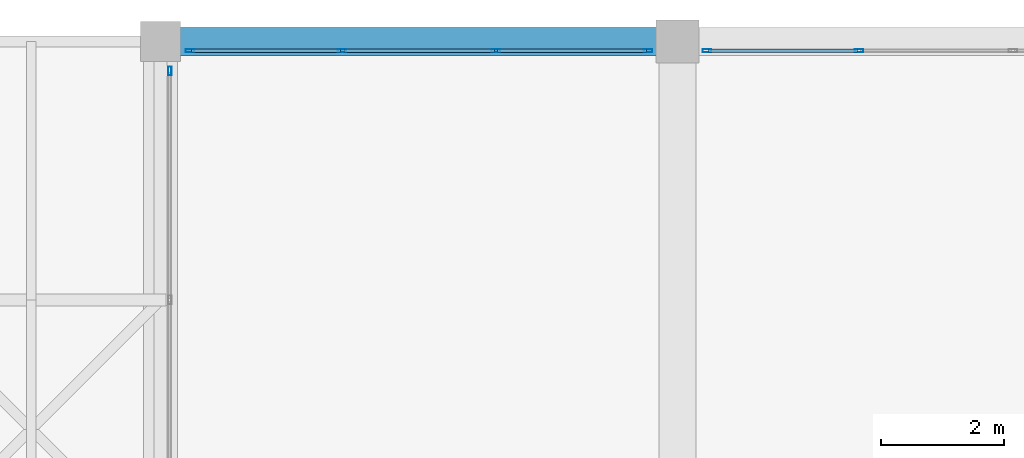
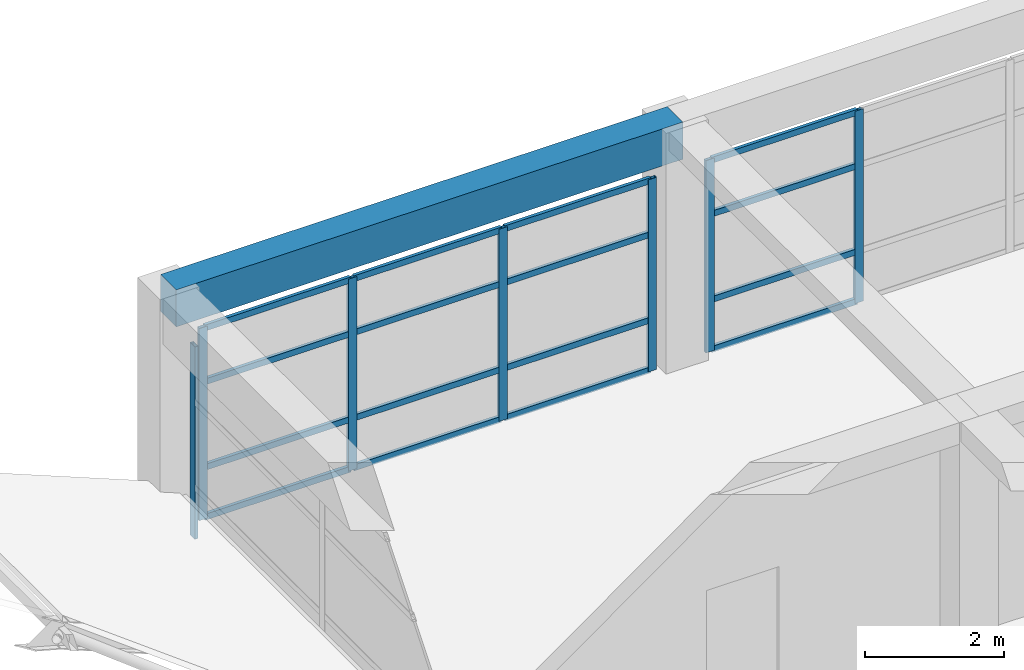
# One storey, part 47 of 85: 23 members, 1 beam, 3 elements without a shape of their own.
"""IFC4 building model written with IfcOpenShell, lengths in metres."""

import ifcopenshell
import ifcopenshell.guid

model = None  # the IFC model being written
_history = None  # IfcOwnerHistory: only IFC2X3 demands one
_inside = {}  # id of a spatial element -> (the spatial element, [elements in it])
_under = {}  # id of a project, library or spatial element -> (it, [spatial elements below it])
_declared = {}  # id of a project -> (the project, [libraries it declares])
_typed = {}  # id of a type object -> (the type object, [elements of that type])
_made_of = {}  # id of a material, layer set ... -> (it, [elements and type objects made of it])


def new_model(schema):
    """Start an empty IFC model of exactly this schema.

    Asked for "IFC4X3", IfcOpenShell would pick the latest addendum, in which some entities
    have other attributes; the version numbers below select the first issue.
    IFC2X3 requires an IfcOwnerHistory on every rooted entity: one is made here for all.
    """
    global model, _history
    if schema == "IFC4X3":
        model = ifcopenshell.file(schema_version=(4, 3, 0, 0))
    else:
        model = ifcopenshell.file(schema=schema)
    _inside.clear()
    _under.clear()
    _declared.clear()
    _typed.clear()
    _made_of.clear()
    _history = None
    if model.schema == "IFC2X3":
        org = make("IfcOrganization", Name="unknown")
        user = make(
            "IfcPersonAndOrganization",
            ThePerson=make("IfcPerson", FamilyName="unknown"),
            TheOrganization=org,
        )
        app = make(
            "IfcApplication",
            ApplicationDeveloper=org,
            Version="unknown",
            ApplicationFullName="unknown",
            ApplicationIdentifier="unknown",
        )
        _history = make(
            "IfcOwnerHistory",
            OwningUser=user,
            OwningApplication=app,
            ChangeAction="ADDED",
            CreationDate=0,
        )
    return model


def make(cls, **values):
    """One entity of the class cls with the attributes given. An attribute that is None is left unset."""
    return model.create_entity(
        cls, **{name: value for name, value in values.items() if value is not None}
    )


def rooted(cls, **values):
    """An entity with a GlobalId (a new one), such as an element, a storey or a relation."""
    return make(cls, GlobalId=ifcopenshell.guid.new(), OwnerHistory=_history, **values)


def si_unit(unit_type, name, prefix=None):
    """IfcSIUnit, for example si_unit("LENGTHUNIT", "METRE", prefix="MILLI")."""
    return make("IfcSIUnit", UnitType=unit_type, Prefix=prefix, Name=name)


def assignment(units):
    """IfcUnitAssignment: the units of a project."""
    return None if units is None else make("IfcUnitAssignment", Units=units)


def point(xyz):
    """IfcCartesianPoint."""
    return None if xyz is None else make("IfcCartesianPoint", Coordinates=xyz)


def direction(xyz):
    """IfcDirection."""
    return None if xyz is None else make("IfcDirection", DirectionRatios=xyz)


def frame(location, z_axis=None, x_axis=None):
    """IfcAxis2Placement3D, a coordinate frame: its origin and axes. An axis left out is left unset."""
    return make(
        "IfcAxis2Placement3D",
        Location=point(location),
        Axis=direction(z_axis),
        RefDirection=direction(x_axis),
    )


def frame_2d(location, x_axis=None):
    """IfcAxis2Placement2D, a coordinate frame in the plane: its origin and x axis."""
    return make(
        "IfcAxis2Placement2D", Location=point(location), RefDirection=direction(x_axis)
    )


def origin():
    """The frame at (0, 0, 0) with its axes left unset."""
    return frame((0.0, 0.0, 0.0))


def origin_2d():
    """The frame at (0, 0) in the plane with its x axis left unset."""
    return frame_2d((0.0, 0.0))


def place(relative_to, where):
    """IfcLocalPlacement: puts the frame where relative to a parent placement (None: the world)."""
    return make(
        "IfcLocalPlacement", PlacementRelTo=relative_to, RelativePlacement=where
    )


def context(
    kind, dimensions, precision=None, world=None, true_north=None, identifier=None
):
    """IfcGeometricRepresentationContext, for example the 3D "Model" context."""
    return make(
        "IfcGeometricRepresentationContext",
        ContextIdentifier=identifier,
        ContextType=kind,
        CoordinateSpaceDimension=dimensions,
        Precision=precision,
        WorldCoordinateSystem=world,
        TrueNorth=true_north,
    )


def subcontext(parent, identifier, kind, view, scale=None):
    """IfcGeometricRepresentationSubContext, for example "Body" below "Model"."""
    return make(
        "IfcGeometricRepresentationSubContext",
        ContextIdentifier=identifier,
        ContextType=kind,
        ParentContext=parent,
        TargetScale=scale,
        TargetView=view,
    )


def project(units=None, contexts=None):
    """IfcProject with its units and contexts."""
    return rooted(
        "IfcProject",
        Name="project",
        RepresentationContexts=contexts,
        UnitsInContext=assignment(units),
    )


def spatial(cls, under=None, at=None, **own):
    """A site, building, storey or space (cls), placed at a placement, below another one or the project."""
    s = rooted(cls, ObjectPlacement=at, **own)
    if under is not None:
        _under.setdefault(under.id(), (under, []))[1].append(s)
    return s


def profile(cls, at=None, kind="AREA", **sizes):
    """A parametric profile (cls). Its sizes go by their IFC names, for example OverallWidth=200.0."""
    return make(cls, ProfileType=kind, Position=at, **sizes)


def rectangle(**sizes):
    """IfcRectangleProfileDef."""
    return profile("IfcRectangleProfileDef", **sizes)


def hollow_rectangle(**sizes):
    """IfcRectangleHollowProfileDef."""
    return profile("IfcRectangleHollowProfileDef", **sizes)


def extrude(swept, where, along, depth):
    """IfcExtrudedAreaSolid: the profile swept, set in the frame where, extruded along a direction by depth."""
    return make(
        "IfcExtrudedAreaSolid",
        SweptArea=swept,
        Position=where,
        ExtrudedDirection=direction(along),
        Depth=depth,
    )


def shape(context_of_items, identifier, shape_type, items):
    """IfcShapeRepresentation: the items that make up one representation, for example the "Body"."""
    return make(
        "IfcShapeRepresentation",
        ContextOfItems=context_of_items,
        RepresentationIdentifier=identifier,
        RepresentationType=shape_type,
        Items=items,
    )


def material(Name=None, Category=None):
    """IfcMaterial."""
    return make("IfcMaterial", Name=Name, Category=Category)


def material_profile(
    of_material, cross_section, Name=None, Category=None, Priority=None
):
    """IfcMaterialProfile: a cross section and its material."""
    return make(
        "IfcMaterialProfile",
        Name=Name,
        Material=of_material,
        Profile=cross_section,
        Priority=Priority,
        Category=Category,
    )


def profile_set(profiles, Name=None, composite=None):
    """IfcMaterialProfileSet."""
    return make(
        "IfcMaterialProfileSet",
        Name=Name,
        MaterialProfiles=profiles,
        CompositeProfile=composite,
    )


def made_of(thing, what):
    """Note that an element or type object is made of a material, layer set ...; save() writes the relation."""
    if what is not None:
        _made_of.setdefault(what.id(), (what, []))[1].append(thing)
    return thing


def type_object(cls, material=None, **own):
    """A type object (cls), such as IfcWallType, which elements share."""
    return made_of(rooted(cls, **own), material)


def element(
    cls,
    number,
    at=None,
    inside=None,
    cuts=None,
    type_object=None,
    material=None,
    context=None,
    identifier="Body",
    shape_type=None,
    held_by="IfcProductDefinitionShape",
    body=None,
    shapes=None,
    **own,
):
    """One element of the class cls, such as IfcWall. Its Tag is "e" and its number.

    at: its placement. inside: the storey or other place that contains it. cuts: it is an
    opening in that element (IfcRelVoidsElement). A single representation is given by context,
    identifier, shape_type and body (its items); several are given by shapes. held_by: the class
    of the entity that holds the representations. save() writes the other relations.
    """
    e = rooted(cls, Tag="e%d" % number, ObjectPlacement=at, **own)
    if body is not None:
        shapes = [shape(context, identifier, shape_type, body)]
    if shapes is not None:
        e.Representation = make(held_by, Representations=shapes)
    if inside is not None:
        _inside.setdefault(inside.id(), (inside, []))[1].append(e)
    if cuts is not None:
        rooted(
            "IfcRelVoidsElement", RelatingBuildingElement=cuts, RelatedOpeningElement=e
        )
    if type_object is not None:
        _typed.setdefault(type_object.id(), (type_object, []))[1].append(e)
    return made_of(e, material)


def aggregate(whole, parts):
    """IfcRelAggregates: a whole, such as a stair, and the parts it consists of."""
    return rooted("IfcRelAggregates", RelatingObject=whole, RelatedObjects=parts)


def save(model, path):
    """Write the relations noted so far, then the file.

    IfcRelAggregates (storeys below a building ...), IfcRelContainedInSpatialStructure (elements
    in a storey), IfcRelDefinesByType, IfcRelAssociatesMaterial and IfcRelDeclares: one each for
    every whole, place, type object, material and project.
    """
    for whole, parts in _under.values():
        aggregate(whole, parts)
    for where, things in _inside.values():
        rooted(
            "IfcRelContainedInSpatialStructure",
            RelatedElements=things,
            RelatingStructure=where,
        )
    for kind, things in _typed.values():
        rooted("IfcRelDefinesByType", RelatedObjects=things, RelatingType=kind)
    for what, things in _made_of.values():
        rooted("IfcRelAssociatesMaterial", RelatedObjects=things, RelatingMaterial=what)
    for by, libraries in _declared.values():
        rooted("IfcRelDeclares", RelatingContext=by, RelatedDefinitions=libraries)
    model.write(path)


model = new_model("IFC4")

# Units and contexts
model_context = context("Model", 3, precision=1e-05, world=origin(), true_north=direction((0.0, 1.0)))
body_context = subcontext(model_context, "Body", "Model", "MODEL_VIEW")
ifc_project = project(units=[si_unit("LENGTHUNIT", "METRE"), si_unit("AREAUNIT", "SQUARE_METRE"), si_unit("VOLUMEUNIT", "CUBIC_METRE"), si_unit("PLANEANGLEUNIT", "RADIAN"), si_unit("MASSUNIT", "GRAM", prefix="KILO")], contexts=[model_context])

# Site, building, storey
site_placement = place(None, origin())
site = spatial("IfcSite", under=ifc_project, at=site_placement, CompositionType="ELEMENT")
building_placement = place(site_placement, origin())
building = spatial("IfcBuilding", under=site, at=building_placement, Name="Almacenes y Pasaje Nevantli", CompositionType="ELEMENT")
storey_placement = place(building_placement, frame((0.0, 0.0, 22.199951171875)))
storey = spatial("IfcBuildingStorey", under=building, at=storey_placement, Name="L05", CompositionType="ELEMENT", Elevation=22.199951171875)

# Beam
ifc_material_1 = material(Name="Concrete C35/45", Category="concrete")
ifc_material_profile_1 = material_profile(ifc_material_1, rectangle(XDim=0.449951171875, YDim=0.64990234375, at=origin_2d()), Name="RC-BM-450x650")
ifc_profile_set_1 = profile_set([ifc_material_profile_1], Name="Concrete C35/45")
beam_type = type_object("IfcBeamType", Name="BM-RC-450x650", PredefinedType="SPANDREL", material=ifc_profile_set_1)
beam_placement = place(storey_placement, frame((92.39990234375, 117.60009765625, 3.89501953125), z_axis=(1.0, 0.0, 0.0), x_axis=(0.0, 1.0, 0.0)))
element("IfcBeam", 1, at=beam_placement, inside=storey, type_object=beam_type, Name="L05 East-West Reinforced Concrete Beam #3413", PredefinedType="SPANDREL", context=body_context, shape_type="SweptSolid", body=[
    extrude(rectangle(XDim=0.449951171875, YDim=0.64990234375, at=origin_2d()), origin(), (0.0, 0.0, 1.0), 8.400146484375),
])

# Curtain wall, members
ifc_material_2 = material(Name="Thermally Broken Aluminium and Low-E Glass", Category="aluminium")
curtain_wall_type = type_object("IfcCurtainWallType", Name="CW-UNIT-PODIUM", PredefinedType="USERDEFINED", material=ifc_material_2)
curtain_wall_1_placement = place(storey_placement, origin())
curtain_wall_1 = element("IfcCurtainWall", 2, at=curtain_wall_1_placement, inside=storey, type_object=curtain_wall_type, Name="L05 Sky-Lobby North Curtain Wall Bay 12", ObjectType="UNITIZED CURTAIN WALL", PredefinedType="USERDEFINED")
ifc_material_3 = material(Name="Thermally Broken Anodized Aluminium", Category="aluminium")
ifc_material_profile_2 = material_profile(ifc_material_3, hollow_rectangle(XDim=0.054931640625, YDim=0.139892578125, WallThickness=0.00341796875, at=origin_2d()), Name="ALU-MUL-55x140")
ifc_profile_set_2 = profile_set([ifc_material_profile_2], Name="Thermally Broken Anodized Aluminium")
member_type_1 = type_object("IfcMemberType", Name="CW-MUL-160", PredefinedType="MULLION", material=ifc_profile_set_2)
member_1_placement = place(storey_placement, frame((92.87744140625, 117.449951171875, 0.0), z_axis=(0.0, 0.0, 1.0), x_axis=(0.0, 1.0, 0.0)))
member_1 = element("IfcMember", 3, at=member_1_placement, type_object=member_type_1, Name="CW-L05-083 mullion 1", PredefinedType="MULLION", context=body_context, shape_type="SweptSolid", body=[
    extrude(hollow_rectangle(XDim=0.054931640625, YDim=0.139892578125, WallThickness=0.00341796875, at=origin_2d()), origin(), (0.0, 0.0, 1.0), 3.3701171875),
])
member_2_placement = place(storey_placement, frame((95.35009765625, 117.449951171875, 0.0), z_axis=(0.0, 0.0, 1.0), x_axis=(0.0, 1.0, 0.0)))
member_2 = element("IfcMember", 4, at=member_2_placement, type_object=member_type_1, Name="CW-L05-083 mullion 2", PredefinedType="MULLION", context=body_context, shape_type="SweptSolid", body=[
    extrude(hollow_rectangle(XDim=0.054931640625, YDim=0.139892578125, WallThickness=0.00341796875, at=origin_2d()), origin(), (0.0, 0.0, 1.0), 3.3701171875),
])
member_3_placement = place(storey_placement, frame((97.85009765625, 117.449951171875, 0.0), z_axis=(0.0, 0.0, 1.0), x_axis=(0.0, 1.0, 0.0)))
member_3 = element("IfcMember", 5, at=member_3_placement, type_object=member_type_1, Name="CW-L05-083 mullion 3", PredefinedType="MULLION", context=body_context, shape_type="SweptSolid", body=[
    extrude(hollow_rectangle(XDim=0.054931640625, YDim=0.139892578125, WallThickness=0.00341796875, at=origin_2d()), origin(), (0.0, 0.0, 1.0), 3.3701171875),
])
member_4_placement = place(storey_placement, frame((100.322509765625, 117.449951171875, 0.0), z_axis=(0.0, 0.0, 1.0), x_axis=(0.0, 1.0, 0.0)))
member_4 = element("IfcMember", 6, at=member_4_placement, type_object=member_type_1, Name="CW-L05-083 mullion 4", PredefinedType="MULLION", context=body_context, shape_type="SweptSolid", body=[
    extrude(hollow_rectangle(XDim=0.054931640625, YDim=0.139892578125, WallThickness=0.00341796875, at=origin_2d()), origin(), (0.0, 0.0, 1.0), 3.3701171875),
])

curtain_wall_2_placement = place(storey_placement, origin())
curtain_wall_2 = element("IfcCurtainWall", 7, at=curtain_wall_2_placement, inside=storey, type_object=curtain_wall_type, Name="L05 Sky-Lobby North Curtain Wall Bay 13", ObjectType="UNITIZED CURTAIN WALL", PredefinedType="USERDEFINED")
member_5_placement = place(storey_placement, frame((101.277587890625, 117.449951171875, 0.0), z_axis=(0.0, 0.0, 1.0), x_axis=(0.0, 1.0, 0.0)))
member_5 = element("IfcMember", 8, at=member_5_placement, type_object=member_type_1, Name="CW-L05-084 mullion 1", PredefinedType="MULLION", context=body_context, shape_type="SweptSolid", body=[
    extrude(hollow_rectangle(XDim=0.054931640625, YDim=0.139892578125, WallThickness=0.00341796875, at=origin_2d()), origin(), (0.0, 0.0, 1.0), 3.3701171875),
])
member_6_placement = place(storey_placement, frame((103.75, 117.449951171875, 0.0), z_axis=(0.0, 0.0, 1.0), x_axis=(0.0, 1.0, 0.0)))
member_6 = element("IfcMember", 9, at=member_6_placement, type_object=member_type_1, Name="CW-L05-084 mullion 2", PredefinedType="MULLION", context=body_context, shape_type="SweptSolid", body=[
    extrude(hollow_rectangle(XDim=0.054931640625, YDim=0.139892578125, WallThickness=0.00341796875, at=origin_2d()), origin(), (0.0, 0.0, 1.0), 3.3701171875),
])

# Curtain wall, member
curtain_wall_3_placement = place(storey_placement, origin())
curtain_wall_3 = element("IfcCurtainWall", 10, at=curtain_wall_3_placement, inside=storey, type_object=curtain_wall_type, Name="L05 Sky-Lobby West Arcade View Curtain Wall Bay 14", ObjectType="UNITIZED CURTAIN WALL", PredefinedType="USERDEFINED")
member_7_placement = place(storey_placement, frame((92.550048828125, 117.12255859375, 0.0), z_axis=(0.0, 0.0, 1.0), x_axis=(-1.0, 0.0, 0.0)))
member_7 = element("IfcMember", 11, at=member_7_placement, type_object=member_type_1, Name="CW-L05-101 mullion 3", PredefinedType="MULLION", context=body_context, shape_type="SweptSolid", body=[
    extrude(hollow_rectangle(XDim=0.054931640625, YDim=0.139892578125, WallThickness=0.00341796875, at=origin_2d()), origin(), (0.0, 0.0, 1.0), 3.3701171875),
])
aggregate(curtain_wall_3, [member_7])

# Member
ifc_material_4 = material(Name="Thermally Broken Anodized Aluminium", Category="aluminium")
ifc_material_profile_3 = material_profile(ifc_material_4, hollow_rectangle(XDim=0.054931640625, YDim=0.10498046875, WallThickness=0.003173828125, at=origin_2d()), Name="ALU-TRN-55x105")
ifc_profile_set_3 = profile_set([ifc_material_profile_3], Name="Thermally Broken Anodized Aluminium")
member_type_2 = type_object("IfcMemberType", Name="CW-TRN-120", PredefinedType="USERDEFINED", material=ifc_profile_set_3)
member_8_placement = place(storey_placement, frame((92.905029296875, 117.449951171875, 0.027587890625), z_axis=(1.0, 0.0, 0.0), x_axis=(0.0, 1.0, 0.0)))
member_8 = element("IfcMember", 12, at=member_8_placement, type_object=member_type_2, Name="CW-L05-083 transom 1.1", ObjectType="TRANSOM", PredefinedType="USERDEFINED", context=body_context, shape_type="SweptSolid", body=[
    extrude(hollow_rectangle(XDim=0.054931640625, YDim=0.10498046875, WallThickness=0.003173828125, at=origin_2d()), origin(), (0.0, 0.0, 1.0), 2.41748046875),
])

member_9_placement = place(storey_placement, frame((92.905029296875, 117.449951171875, 0.900146484375), z_axis=(1.0, 0.0, 0.0), x_axis=(0.0, 1.0, 0.0)))
member_9 = element("IfcMember", 13, at=member_9_placement, type_object=member_type_2, Name="CW-L05-083 transom 1.2", ObjectType="TRANSOM", PredefinedType="USERDEFINED", context=body_context, shape_type="SweptSolid", body=[
    extrude(hollow_rectangle(XDim=0.054931640625, YDim=0.10498046875, WallThickness=0.003173828125, at=origin_2d()), origin(), (0.0, 0.0, 1.0), 2.41748046875),
])

member_10_placement = place(storey_placement, frame((92.905029296875, 117.449951171875, 2.400146484375), z_axis=(1.0, 0.0, 0.0), x_axis=(0.0, 1.0, 0.0)))
member_10 = element("IfcMember", 14, at=member_10_placement, type_object=member_type_2, Name="CW-L05-083 transom 1.3", ObjectType="TRANSOM", PredefinedType="USERDEFINED", context=body_context, shape_type="SweptSolid", body=[
    extrude(hollow_rectangle(XDim=0.054931640625, YDim=0.10498046875, WallThickness=0.003173828125, at=origin_2d()), origin(), (0.0, 0.0, 1.0), 2.41748046875),
])

member_11_placement = place(storey_placement, frame((92.905029296875, 117.449951171875, 3.342529296875), z_axis=(1.0, 0.0, 0.0), x_axis=(0.0, 1.0, 0.0)))
member_11 = element("IfcMember", 15, at=member_11_placement, type_object=member_type_2, Name="CW-L05-083 transom 1.4", ObjectType="TRANSOM", PredefinedType="USERDEFINED", context=body_context, shape_type="SweptSolid", body=[
    extrude(hollow_rectangle(XDim=0.054931640625, YDim=0.10498046875, WallThickness=0.003173828125, at=origin_2d()), origin(), (0.0, 0.0, 1.0), 2.41748046875),
])

member_12_placement = place(storey_placement, frame((95.37744140625, 117.449951171875, 0.027587890625), z_axis=(1.0, 0.0, 0.0), x_axis=(0.0, 1.0, 0.0)))
member_12 = element("IfcMember", 16, at=member_12_placement, type_object=member_type_2, Name="CW-L05-083 transom 2.1", ObjectType="TRANSOM", PredefinedType="USERDEFINED", context=body_context, shape_type="SweptSolid", body=[
    extrude(hollow_rectangle(XDim=0.054931640625, YDim=0.10498046875, WallThickness=0.003173828125, at=origin_2d()), origin(), (0.0, 0.0, 1.0), 2.445068359375),
])

member_13_placement = place(storey_placement, frame((95.37744140625, 117.449951171875, 0.900146484375), z_axis=(1.0, 0.0, 0.0), x_axis=(0.0, 1.0, 0.0)))
member_13 = element("IfcMember", 17, at=member_13_placement, type_object=member_type_2, Name="CW-L05-083 transom 2.2", ObjectType="TRANSOM", PredefinedType="USERDEFINED", context=body_context, shape_type="SweptSolid", body=[
    extrude(hollow_rectangle(XDim=0.054931640625, YDim=0.10498046875, WallThickness=0.003173828125, at=origin_2d()), origin(), (0.0, 0.0, 1.0), 2.445068359375),
])

member_14_placement = place(storey_placement, frame((95.37744140625, 117.449951171875, 2.400146484375), z_axis=(1.0, 0.0, 0.0), x_axis=(0.0, 1.0, 0.0)))
member_14 = element("IfcMember", 18, at=member_14_placement, type_object=member_type_2, Name="CW-L05-083 transom 2.3", ObjectType="TRANSOM", PredefinedType="USERDEFINED", context=body_context, shape_type="SweptSolid", body=[
    extrude(hollow_rectangle(XDim=0.054931640625, YDim=0.10498046875, WallThickness=0.003173828125, at=origin_2d()), origin(), (0.0, 0.0, 1.0), 2.445068359375),
])

member_15_placement = place(storey_placement, frame((95.37744140625, 117.449951171875, 3.342529296875), z_axis=(1.0, 0.0, 0.0), x_axis=(0.0, 1.0, 0.0)))
member_15 = element("IfcMember", 19, at=member_15_placement, type_object=member_type_2, Name="CW-L05-083 transom 2.4", ObjectType="TRANSOM", PredefinedType="USERDEFINED", context=body_context, shape_type="SweptSolid", body=[
    extrude(hollow_rectangle(XDim=0.054931640625, YDim=0.10498046875, WallThickness=0.003173828125, at=origin_2d()), origin(), (0.0, 0.0, 1.0), 2.445068359375),
])

member_16_placement = place(storey_placement, frame((97.87744140625, 117.449951171875, 0.027587890625), z_axis=(1.0, 0.0, 0.0), x_axis=(0.0, 1.0, 0.0)))
member_16 = element("IfcMember", 20, at=member_16_placement, type_object=member_type_2, Name="CW-L05-083 transom 3.1", ObjectType="TRANSOM", PredefinedType="USERDEFINED", context=body_context, shape_type="SweptSolid", body=[
    extrude(hollow_rectangle(XDim=0.054931640625, YDim=0.10498046875, WallThickness=0.003173828125, at=origin_2d()), origin(), (0.0, 0.0, 1.0), 2.41748046875),
])

member_17_placement = place(storey_placement, frame((97.87744140625, 117.449951171875, 0.900146484375), z_axis=(1.0, 0.0, 0.0), x_axis=(0.0, 1.0, 0.0)))
member_17 = element("IfcMember", 21, at=member_17_placement, type_object=member_type_2, Name="CW-L05-083 transom 3.2", ObjectType="TRANSOM", PredefinedType="USERDEFINED", context=body_context, shape_type="SweptSolid", body=[
    extrude(hollow_rectangle(XDim=0.054931640625, YDim=0.10498046875, WallThickness=0.003173828125, at=origin_2d()), origin(), (0.0, 0.0, 1.0), 2.41748046875),
])

member_18_placement = place(storey_placement, frame((97.87744140625, 117.449951171875, 2.400146484375), z_axis=(1.0, 0.0, 0.0), x_axis=(0.0, 1.0, 0.0)))
member_18 = element("IfcMember", 22, at=member_18_placement, type_object=member_type_2, Name="CW-L05-083 transom 3.3", ObjectType="TRANSOM", PredefinedType="USERDEFINED", context=body_context, shape_type="SweptSolid", body=[
    extrude(hollow_rectangle(XDim=0.054931640625, YDim=0.10498046875, WallThickness=0.003173828125, at=origin_2d()), origin(), (0.0, 0.0, 1.0), 2.41748046875),
])

member_19_placement = place(storey_placement, frame((97.87744140625, 117.449951171875, 3.342529296875), z_axis=(1.0, 0.0, 0.0), x_axis=(0.0, 1.0, 0.0)))
member_19 = element("IfcMember", 23, at=member_19_placement, type_object=member_type_2, Name="CW-L05-083 transom 3.4", ObjectType="TRANSOM", PredefinedType="USERDEFINED", context=body_context, shape_type="SweptSolid", body=[
    extrude(hollow_rectangle(XDim=0.054931640625, YDim=0.10498046875, WallThickness=0.003173828125, at=origin_2d()), origin(), (0.0, 0.0, 1.0), 2.41748046875),
])

aggregate(curtain_wall_1, [member_1, member_2, member_3, member_4, member_8, member_9, member_10, member_11, member_12, member_13, member_14, member_15, member_16, member_17, member_18, member_19])

member_20_placement = place(storey_placement, frame((101.304931640625, 117.449951171875, 0.027587890625), z_axis=(1.0, 0.0, 0.0), x_axis=(0.0, 1.0, 0.0)))
member_20 = element("IfcMember", 24, at=member_20_placement, type_object=member_type_2, Name="CW-L05-084 transom 1.1", ObjectType="TRANSOM", PredefinedType="USERDEFINED", context=body_context, shape_type="SweptSolid", body=[
    extrude(hollow_rectangle(XDim=0.054931640625, YDim=0.10498046875, WallThickness=0.003173828125, at=origin_2d()), origin(), (0.0, 0.0, 1.0), 2.41748046875),
])

member_21_placement = place(storey_placement, frame((101.304931640625, 117.449951171875, 0.900146484375), z_axis=(1.0, 0.0, 0.0), x_axis=(0.0, 1.0, 0.0)))
member_21 = element("IfcMember", 25, at=member_21_placement, type_object=member_type_2, Name="CW-L05-084 transom 1.2", ObjectType="TRANSOM", PredefinedType="USERDEFINED", context=body_context, shape_type="SweptSolid", body=[
    extrude(hollow_rectangle(XDim=0.054931640625, YDim=0.10498046875, WallThickness=0.003173828125, at=origin_2d()), origin(), (0.0, 0.0, 1.0), 2.41748046875),
])

member_22_placement = place(storey_placement, frame((101.304931640625, 117.449951171875, 2.400146484375), z_axis=(1.0, 0.0, 0.0), x_axis=(0.0, 1.0, 0.0)))
member_22 = element("IfcMember", 26, at=member_22_placement, type_object=member_type_2, Name="CW-L05-084 transom 1.3", ObjectType="TRANSOM", PredefinedType="USERDEFINED", context=body_context, shape_type="SweptSolid", body=[
    extrude(hollow_rectangle(XDim=0.054931640625, YDim=0.10498046875, WallThickness=0.003173828125, at=origin_2d()), origin(), (0.0, 0.0, 1.0), 2.41748046875),
])

member_23_placement = place(storey_placement, frame((101.304931640625, 117.449951171875, 3.342529296875), z_axis=(1.0, 0.0, 0.0), x_axis=(0.0, 1.0, 0.0)))
member_23 = element("IfcMember", 27, at=member_23_placement, type_object=member_type_2, Name="CW-L05-084 transom 1.4", ObjectType="TRANSOM", PredefinedType="USERDEFINED", context=body_context, shape_type="SweptSolid", body=[
    extrude(hollow_rectangle(XDim=0.054931640625, YDim=0.10498046875, WallThickness=0.003173828125, at=origin_2d()), origin(), (0.0, 0.0, 1.0), 2.41748046875),
])

aggregate(curtain_wall_2, [member_5, member_6, member_20, member_21, member_22, member_23])

save(model, "model.ifc")
